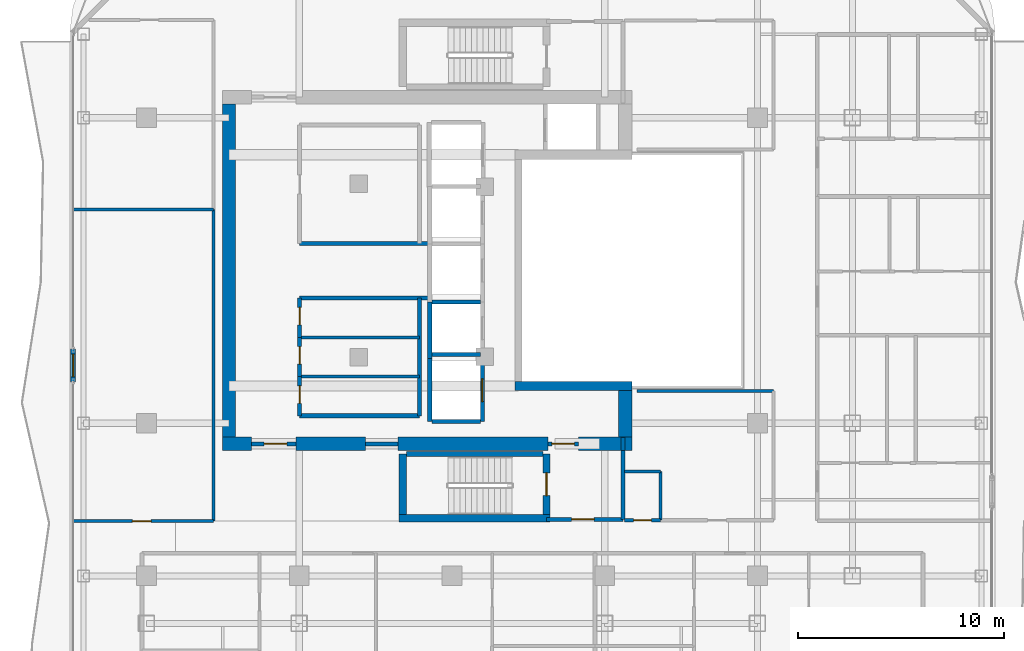
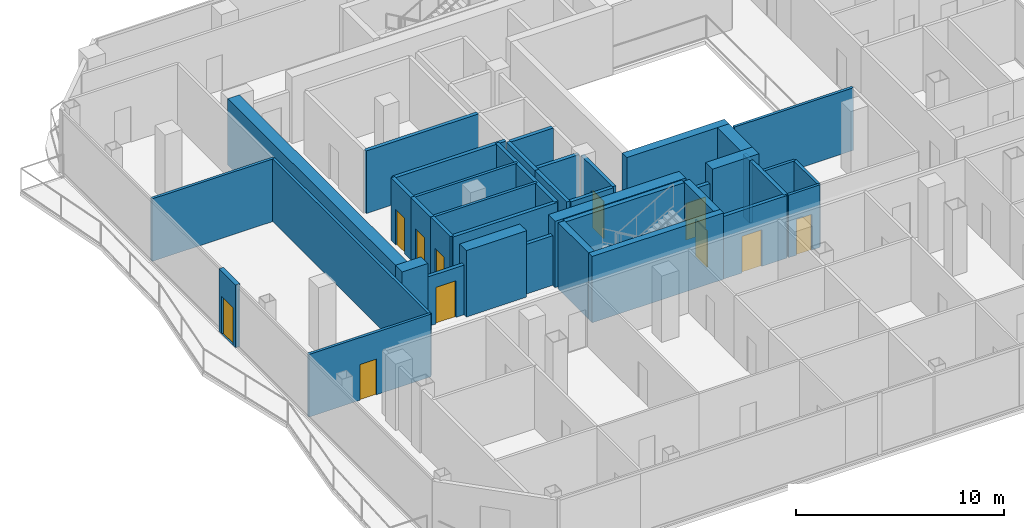
# One storey, part 21 of 27: 40 walls, 11 doors, 11 openings.
"""IFC4 building model written with IfcOpenShell, lengths in metres."""

from ifc_helpers import new_model, si_unit, direction, frame, frame_2d, origin, place, context, subcontext, project, spatial, rectangle, extrude, material, layer, layer_set, type_object, element, fill, save


model = new_model("IFC4")

# Units and contexts
model_context = context("Model", 3, precision=1e-05, world=origin(), true_north=direction((0.0, 1.0)))
body_context = subcontext(model_context, "Body", "Model", "MODEL_VIEW")
ifc_project = project(units=[si_unit("LENGTHUNIT", "METRE"), si_unit("AREAUNIT", "SQUARE_METRE"), si_unit("VOLUMEUNIT", "CUBIC_METRE"), si_unit("PLANEANGLEUNIT", "RADIAN"), si_unit("MASSUNIT", "GRAM", prefix="KILO")], contexts=[model_context])

# Site, building, storey
site_placement = place(None, origin())
site = spatial("IfcSite", under=ifc_project, at=site_placement, CompositionType="ELEMENT")
building_placement = place(site_placement, origin())
building = spatial("IfcBuilding", under=site, at=building_placement, Name="Khorvyn Point Tower", CompositionType="ELEMENT")
storey_placement = place(building_placement, frame((0.0, 0.0, 243.0)))
storey = spatial("IfcBuildingStorey", under=building, at=storey_placement, Name="L59", CompositionType="ELEMENT", Elevation=243.0)

# Wall, opening, door
ifc_material_1 = material(Name="Pale anodised aluminium rainscreen on steel stud", Category="steel")
ifc_layer_1 = layer(ifc_material_1, 0.239990234375)
ifc_layer_set_1 = layer_set([ifc_layer_1], Name="Anodised Aluminium Insulated Corner Spandrel Wall 240")
wall_type_1 = type_object("IfcWallType", Name="Anodised Aluminium Insulated Corner Spandrel Wall 240", PredefinedType="SOLIDWALL", material=ifc_layer_set_1)
wall_1_placement = place(storey_placement, frame((-18.35009765625, -5.39501953125, 0.0), z_axis=(0.0, 0.0, 1.0), x_axis=(0.0, 1.0, 0.0)))
wall_1 = element("IfcWall", 1, at=wall_1_placement, inside=storey, type_object=wall_type_1, Name="L59 West Outdoor Threshold Wall", PredefinedType="SOLIDWALL", context=body_context, shape_type="SweptSolid", body=[
    extrude(rectangle(XDim=1.580078125, YDim=0.239990234375, at=frame_2d((0.7900390625, 0.0))), origin(), (0.0, 0.0, 1.0), 3.679931640625),
])
opening_1_placement = place(wall_1_placement, frame((0.239990234375, 0.0, 0.0)))
opening_1 = element("IfcOpeningElement", 2, at=opening_1_placement, cuts=wall_1, Name="Opening BD-1122", PredefinedType="OPENING", context=body_context, shape_type="SweptSolid", body=[
    extrude(rectangle(XDim=1.10009765625, YDim=2.199951171875, at=frame_2d((0.550048828125, 1.10009765625))), frame((0.0, 0.1298828125, 0.0), z_axis=(0.0, -1.0, 0.0), x_axis=(1.0, 0.0, 0.0)), (0.0, 0.0, 1.0), 0.260009765625),
])
ifc_material_2 = material(Name="Anodised aluminium 6063-T6 and laminated Low-E glass", Category="aluminium")
door_type_1 = type_object("IfcDoorType", Name="Glazed Balcony and Terrace Threshold Door 1100x2200", OperationType="NOTDEFINED", PredefinedType="DOOR", material=ifc_material_2)
door_1_placement = place(opening_1_placement, origin())
door_1 = element("IfcDoor", 3, at=door_1_placement, inside=storey, type_object=door_type_1, Name="L59 West Glazed Balcony Outdoor Door", OperationType="SINGLE_SWING_RIGHT", OverallHeight=2.199951171875, OverallWidth=1.10009765625, PredefinedType="DOOR", context=body_context, shape_type="SweptSolid", body=[
    extrude(rectangle(XDim=1.10009765625, YDim=2.199951171875, at=frame_2d((0.550048828125, 1.10009765625))), frame((0.0, 0.02490234375, 0.0), z_axis=(0.0, -1.0, 0.0), x_axis=(1.0, 0.0, 0.0)), (0.0, 0.0, 1.0), 0.050048828125),
])
fill(opening_1, door_1)

# Walls
ifc_material_3 = material(Name="Concrete C40/50", Category="concrete")
ifc_layer_2 = layer(ifc_material_3, 0.449951171875)
ifc_layer_set_2 = layer_set([ifc_layer_2], Name="Concrete C40/50 Core Shear Wall 450")
wall_type_2 = type_object("IfcWallType", Name="Concrete C40/50 Core Shear Wall 450", PredefinedType="SHEAR", material=ifc_layer_set_2)
wall_2_placement = place(storey_placement, frame((3.044921875, -5.60009765625, 0.0), z_axis=(0.0, 0.0, 1.0), x_axis=(1.0, 0.0, 0.0)))
element("IfcWall", 4, at=wall_2_placement, inside=storey, type_object=wall_type_2, Name="Wall", PredefinedType="SHEAR", context=body_context, shape_type="SweptSolid", body=[
    extrude(rectangle(XDim=5.68017578125, YDim=0.449951171875, at=frame_2d((2.840087890625, 0.0))), origin(), (0.0, 0.0, 1.0), 3.89990234375),
])
ifc_layer_3 = layer(ifc_material_3, 0.64990234375)
ifc_layer_set_3 = layer_set([ifc_layer_3], Name="Concrete C40/50 Core Shear Wall 650")
wall_type_3 = type_object("IfcWallType", Name="Concrete C40/50 Core Shear Wall 650", PredefinedType="SHEAR", material=ifc_layer_set_3)
wall_3_placement = place(storey_placement, frame((-11.125, -8.39990234375, 0.0), z_axis=(0.0, 0.0, 1.0), x_axis=(1.0, 0.0, 0.0)))
element("IfcWall", 5, at=wall_3_placement, inside=storey, type_object=wall_type_3, Name="Wall", PredefinedType="SHEAR", context=body_context, shape_type="SweptSolid", body=[
    extrude(rectangle(XDim=1.425048828125, YDim=0.64990234375, at=frame_2d((0.71240234375, 0.0))), origin(), (0.0, 0.0, 1.0), 3.89990234375),
])
wall_4_placement = place(storey_placement, frame((-7.550048828125, -8.39990234375, 0.0), z_axis=(0.0, 0.0, 1.0), x_axis=(1.0, 0.0, 0.0)))
element("IfcWall", 6, at=wall_4_placement, inside=storey, type_object=wall_type_3, Name="Wall", PredefinedType="SHEAR", context=body_context, shape_type="SweptSolid", body=[
    extrude(rectangle(XDim=3.35009765625, YDim=0.64990234375, at=frame_2d((1.675048828125, 0.0))), origin(), (0.0, 0.0, 1.0), 3.89990234375),
])
wall_5_placement = place(storey_placement, frame((-2.6201171875, -8.39990234375, 0.0), z_axis=(0.0, 0.0, 1.0), x_axis=(1.0, 0.0, 0.0)))
element("IfcWall", 7, at=wall_5_placement, inside=storey, type_object=wall_type_3, Name="Wall", PredefinedType="SHEAR", context=body_context, shape_type="SweptSolid", body=[
    extrude(rectangle(XDim=7.27001953125, YDim=0.64990234375, at=frame_2d((3.635009765625, 0.0))), origin(), (0.0, 0.0, 1.0), 3.89990234375),
])
wall_6_placement = place(storey_placement, frame((6.1201171875, -8.39990234375, 0.0), z_axis=(0.0, 0.0, 1.0), x_axis=(1.0, 0.0, 0.0)))
element("IfcWall", 8, at=wall_6_placement, inside=storey, type_object=wall_type_3, Name="Wall", PredefinedType="SHEAR", context=body_context, shape_type="SweptSolid", body=[
    extrude(rectangle(XDim=2.60498046875, YDim=0.64990234375, at=frame_2d((1.302490234375, 0.0))), origin(), (0.0, 0.0, 1.0), 3.89990234375),
])
wall_7_placement = place(storey_placement, frame((-10.800048828125, -8.074951171875, 0.0), z_axis=(0.0, 0.0, 1.0), x_axis=(0.0, 1.0, 0.0)))
element("IfcWall", 9, at=wall_7_placement, inside=storey, type_object=wall_type_3, Name="Wall", PredefinedType="SHEAR", context=body_context, shape_type="SweptSolid", body=[
    extrude(rectangle(XDim=16.14990234375, YDim=0.64990234375, at=frame_2d((8.074951171875, 0.0))), origin(), (0.0, 0.0, 1.0), 3.89990234375),
])
wall_8_placement = place(storey_placement, frame((8.39990234375, -8.074951171875, 0.0), z_axis=(0.0, 0.0, 1.0), x_axis=(0.0, 1.0, 0.0)))
element("IfcWall", 10, at=wall_8_placement, inside=storey, type_object=wall_type_3, Name="Wall", PredefinedType="SHEAR", context=body_context, shape_type="SweptSolid", body=[
    extrude(rectangle(XDim=2.25, YDim=0.64990234375, at=frame_2d((1.125, 0.0))), origin(), (0.0, 0.0, 1.0), 3.89990234375),
])

# Wall, opening, door
ifc_layer_4 = layer(ifc_material_3, 0.199951171875)
ifc_layer_set_4 = layer_set([ifc_layer_4], Name="Concrete C40/50 Fire-Lobby Compartment Wall 200")
wall_type_4 = type_object("IfcWallType", Name="Concrete C40/50 Fire-Lobby Compartment Wall 200", PredefinedType="SOLIDWALL", material=ifc_layer_set_4)
wall_9_placement = place(storey_placement, frame((4.580078125, -12.06005859375, 0.0), z_axis=(0.0, 0.0, 1.0), x_axis=(1.0, 0.0, 0.0)))
wall_9 = element("IfcWall", 11, at=wall_9_placement, inside=storey, type_object=wall_type_4, Name="Wall", PredefinedType="SOLIDWALL", context=body_context, shape_type="SweptSolid", body=[
    extrude(rectangle(XDim=3.699951171875, YDim=0.199951171875, at=frame_2d((1.85009765625, 0.0))), origin(), (0.0, 0.0, 1.0), 3.679931640625),
])
opening_2_placement = place(wall_9_placement, frame((1.21240234375, 0.0, 0.0)))
opening_2 = element("IfcOpeningElement", 12, at=opening_2_placement, cuts=wall_9, Name="Opening ID-FL90", PredefinedType="OPENING", context=body_context, shape_type="SweptSolid", body=[
    extrude(rectangle(XDim=1.10009765625, YDim=2.14990234375, at=frame_2d((0.550048828125, 1.074951171875))), frame((0.0, 0.10986328125, 0.0), z_axis=(0.0, -1.0, 0.0), x_axis=(1.0, 0.0, 0.0)), (0.0, 0.0, 1.0), 0.219970703125),
])
ifc_material_4 = material(Name="Galvanised powder-coated steel", Category="steel")
door_type_2 = type_object("IfcDoorType", Name="Fire-Rated Steel Lobby and Stair Door 1100x2150", OperationType="NOTDEFINED", PredefinedType="DOOR", material=ifc_material_4)
door_2_placement = place(opening_2_placement, origin())
door_2 = element("IfcDoor", 13, at=door_2_placement, inside=storey, type_object=door_type_2, Name="Door", OperationType="SINGLE_SWING_RIGHT", OverallHeight=2.14990234375, OverallWidth=1.10009765625, PredefinedType="DOOR", context=body_context, shape_type="SweptSolid", body=[
    extrude(rectangle(XDim=1.10009765625, YDim=2.14990234375, at=frame_2d((0.550048828125, 1.074951171875))), frame((0.0, 0.02490234375, 0.0), z_axis=(0.0, -1.0, 0.0), x_axis=(1.0, 0.0, 0.0)), (0.0, 0.0, 1.0), 0.050048828125),
])
fill(opening_2, door_2)

wall_10_placement = place(storey_placement, frame((4.64990234375, -8.39990234375, 0.0), z_axis=(0.0, 0.0, 1.0), x_axis=(1.0, 0.0, 0.0)))
wall_10 = element("IfcWall", 14, at=wall_10_placement, inside=storey, type_object=wall_type_4, Name="Wall", PredefinedType="SOLIDWALL", context=body_context, shape_type="SweptSolid", body=[
    extrude(rectangle(XDim=1.47021484375, YDim=0.199951171875, at=frame_2d((0.735107421875, 0.0))), origin(), (0.0, 0.0, 1.0), 2.919921875),
])
opening_3_placement = place(wall_10_placement, frame((0.18505859375, 0.0, 0.0)))
opening_3 = element("IfcOpeningElement", 15, at=opening_3_placement, cuts=wall_10, Name="Opening ID-FL90", PredefinedType="OPENING", context=body_context, shape_type="SweptSolid", body=[
    extrude(rectangle(XDim=1.10009765625, YDim=2.14990234375, at=frame_2d((0.550048828125, 1.074951171875))), frame((0.0, 0.10986328125, 0.0), z_axis=(0.0, -1.0, 0.0), x_axis=(1.0, 0.0, 0.0)), (0.0, 0.0, 1.0), 0.219970703125),
])
door_3_placement = place(opening_3_placement, origin())
door_3 = element("IfcDoor", 16, at=door_3_placement, inside=storey, type_object=door_type_2, Name="Door", OperationType="SINGLE_SWING_LEFT", OverallHeight=2.14990234375, OverallWidth=1.10009765625, PredefinedType="DOOR", context=body_context, shape_type="SweptSolid", body=[
    extrude(rectangle(XDim=1.10009765625, YDim=2.14990234375, at=frame_2d((0.550048828125, 1.074951171875))), frame((0.0, 0.02490234375, 0.0), z_axis=(0.0, -1.0, 0.0), x_axis=(1.0, 0.0, 0.0)), (0.0, 0.0, 1.0), 0.050048828125),
])
fill(opening_3, door_3)

wall_11_placement = place(storey_placement, frame((-9.699951171875, -8.39990234375, 0.0), z_axis=(0.0, 0.0, 1.0), x_axis=(1.0, 0.0, 0.0)))
wall_11 = element("IfcWall", 17, at=wall_11_placement, inside=storey, type_object=wall_type_4, Name="Wall", PredefinedType="SOLIDWALL", context=body_context, shape_type="SweptSolid", body=[
    extrude(rectangle(XDim=2.14990234375, YDim=0.199951171875, at=frame_2d((1.074951171875, 0.0))), origin(), (0.0, 0.0, 1.0), 2.919921875),
])
opening_4_placement = place(wall_11_placement, frame((0.597900390625, 0.0, 0.0)))
opening_4 = element("IfcOpeningElement", 18, at=opening_4_placement, cuts=wall_11, Name="Opening ID-FL90", PredefinedType="OPENING", context=body_context, shape_type="SweptSolid", body=[
    extrude(rectangle(XDim=1.10009765625, YDim=2.14990234375, at=frame_2d((0.550048828125, 1.074951171875))), frame((0.0, 0.10986328125, 0.0), z_axis=(0.0, -1.0, 0.0), x_axis=(1.0, 0.0, 0.0)), (0.0, 0.0, 1.0), 0.219970703125),
])
door_4_placement = place(opening_4_placement, origin())
door_4 = element("IfcDoor", 19, at=door_4_placement, inside=storey, type_object=door_type_2, Name="Door", OperationType="SINGLE_SWING_LEFT", OverallHeight=2.14990234375, OverallWidth=1.10009765625, PredefinedType="DOOR", context=body_context, shape_type="SweptSolid", body=[
    extrude(rectangle(XDim=1.10009765625, YDim=2.14990234375, at=frame_2d((0.550048828125, 1.074951171875))), frame((0.0, 0.02490234375, 0.0), z_axis=(0.0, -1.0, 0.0), x_axis=(1.0, 0.0, 0.0)), (0.0, 0.0, 1.0), 0.050048828125),
])
fill(opening_4, door_4)

wall_12_placement = place(storey_placement, frame((-7.3798828125, -7.0400390625, 0.0), z_axis=(0.0, 0.0, 1.0), x_axis=(0.0, 1.0, 0.0)))
wall_12 = element("IfcWall", 20, at=wall_12_placement, inside=storey, type_object=wall_type_4, Name="Wall", PredefinedType="SOLIDWALL", context=body_context, shape_type="SweptSolid", body=[
    extrude(rectangle(XDim=1.900146484375, YDim=0.199951171875, at=frame_2d((0.9501953125, 0.0))), origin(), (0.0, 0.0, 1.0), 3.679931640625),
])
opening_5_placement = place(wall_12_placement, frame((0.597900390625, 0.0, 0.0)))
opening_5 = element("IfcOpeningElement", 21, at=opening_5_placement, cuts=wall_12, Name="Opening ID-WC85", PredefinedType="OPENING", context=body_context, shape_type="SweptSolid", body=[
    extrude(rectangle(XDim=0.85009765625, YDim=2.10009765625, at=frame_2d((0.425048828125, 1.050048828125))), frame((0.0, 0.10986328125, 0.0), z_axis=(0.0, -1.0, 0.0), x_axis=(1.0, 0.0, 0.0)), (0.0, 0.0, 1.0), 0.219970703125),
])
ifc_material_5 = material(Name="High-pressure laminate on moisture-resistant core", Category="wood")
door_type_3 = type_object("IfcDoorType", Name="Moisture-Resistant Accessible Washroom Door 850x2100", OperationType="NOTDEFINED", PredefinedType="DOOR", material=ifc_material_5)
door_5_placement = place(opening_5_placement, origin())
door_5 = element("IfcDoor", 22, at=door_5_placement, inside=storey, type_object=door_type_3, Name="Door", OperationType="SINGLE_SWING_LEFT", OverallHeight=2.10009765625, OverallWidth=0.85009765625, PredefinedType="DOOR", context=body_context, shape_type="SweptSolid", body=[
    extrude(rectangle(XDim=0.85009765625, YDim=2.10009765625, at=frame_2d((0.425048828125, 1.050048828125))), frame((0.0, 0.02490234375, 0.0), z_axis=(0.0, -1.0, 0.0), x_axis=(1.0, 0.0, 0.0)), (0.0, 0.0, 1.0), 0.050048828125),
])
fill(opening_5, door_5)

wall_13_placement = place(storey_placement, frame((-7.3798828125, -5.139892578125, 0.0), z_axis=(0.0, 0.0, 1.0), x_axis=(0.0, 1.0, 0.0)))
wall_13 = element("IfcWall", 23, at=wall_13_placement, inside=storey, type_object=wall_type_4, Name="Wall", PredefinedType="SOLIDWALL", context=body_context, shape_type="SweptSolid", body=[
    extrude(rectangle(XDim=1.89990234375, YDim=0.199951171875, at=frame_2d((0.949951171875, 0.0))), origin(), (0.0, 0.0, 1.0), 3.679931640625),
])
opening_6_placement = place(wall_13_placement, frame((0.597900390625, 0.0, 0.0)))
opening_6 = element("IfcOpeningElement", 24, at=opening_6_placement, cuts=wall_13, Name="Opening ID-WC85", PredefinedType="OPENING", context=body_context, shape_type="SweptSolid", body=[
    extrude(rectangle(XDim=0.85009765625, YDim=2.10009765625, at=frame_2d((0.425048828125, 1.050048828125))), frame((0.0, 0.10986328125, 0.0), z_axis=(0.0, -1.0, 0.0), x_axis=(1.0, 0.0, 0.0)), (0.0, 0.0, 1.0), 0.219970703125),
])
door_6_placement = place(opening_6_placement, origin())
door_6 = element("IfcDoor", 25, at=door_6_placement, inside=storey, type_object=door_type_3, Name="Door", OperationType="SINGLE_SWING_RIGHT", OverallHeight=2.10009765625, OverallWidth=0.85009765625, PredefinedType="DOOR", context=body_context, shape_type="SweptSolid", body=[
    extrude(rectangle(XDim=0.85009765625, YDim=2.10009765625, at=frame_2d((0.425048828125, 1.050048828125))), frame((0.0, 0.02490234375, 0.0), z_axis=(0.0, -1.0, 0.0), x_axis=(1.0, 0.0, 0.0)), (0.0, 0.0, 1.0), 0.050048828125),
])
fill(opening_6, door_6)

wall_14_placement = place(storey_placement, frame((-7.3798828125, -3.239990234375, 0.0), z_axis=(0.0, 0.0, 1.0), x_axis=(0.0, 1.0, 0.0)))
wall_14 = element("IfcWall", 26, at=wall_14_placement, inside=storey, type_object=wall_type_4, Name="Wall", PredefinedType="SOLIDWALL", context=body_context, shape_type="SweptSolid", body=[
    extrude(rectangle(XDim=1.89990234375, YDim=0.199951171875, at=frame_2d((0.949951171875, 0.0))), origin(), (0.0, 0.0, 1.0), 3.679931640625),
])
opening_7_placement = place(wall_14_placement, frame((0.597900390625, 0.0, 0.0)))
opening_7 = element("IfcOpeningElement", 27, at=opening_7_placement, cuts=wall_14, Name="Opening ID-WC85", PredefinedType="OPENING", context=body_context, shape_type="SweptSolid", body=[
    extrude(rectangle(XDim=0.85009765625, YDim=2.10009765625, at=frame_2d((0.425048828125, 1.050048828125))), frame((0.0, 0.10986328125, 0.0), z_axis=(0.0, -1.0, 0.0), x_axis=(1.0, 0.0, 0.0)), (0.0, 0.0, 1.0), 0.219970703125),
])
door_7_placement = place(opening_7_placement, origin())
door_7 = element("IfcDoor", 28, at=door_7_placement, inside=storey, type_object=door_type_3, Name="Door", OperationType="SINGLE_SWING_LEFT", OverallHeight=2.10009765625, OverallWidth=0.85009765625, PredefinedType="DOOR", context=body_context, shape_type="SweptSolid", body=[
    extrude(rectangle(XDim=0.85009765625, YDim=2.10009765625, at=frame_2d((0.425048828125, 1.050048828125))), frame((0.0, 0.02490234375, 0.0), z_axis=(0.0, -1.0, 0.0), x_axis=(1.0, 0.0, 0.0)), (0.0, 0.0, 1.0), 0.050048828125),
])
fill(opening_7, door_7)

# Walls
wall_15_placement = place(storey_placement, frame((8.280029296875, -12.06005859375, 0.0), z_axis=(0.0, 0.0, 1.0), x_axis=(0.0, 1.0, 0.0)))
element("IfcWall", 29, at=wall_15_placement, inside=storey, type_object=wall_type_4, Name="Wall", PredefinedType="SOLIDWALL", context=body_context, shape_type="SweptSolid", body=[
    extrude(rectangle(XDim=3.3349609375, YDim=0.199951171875, at=frame_2d((1.66748046875, 0.0))), origin(), (0.0, 0.0, 1.0), 3.679931640625),
])
wall_16_placement = place(storey_placement, frame((-4.199951171875, -8.39990234375, 0.0), z_axis=(0.0, 0.0, 1.0), x_axis=(1.0, 0.0, 0.0)))
element("IfcWall", 30, at=wall_16_placement, inside=storey, type_object=wall_type_4, Name="Wall", PredefinedType="SOLIDWALL", context=body_context, shape_type="SweptSolid", body=[
    extrude(rectangle(XDim=1.579833984375, YDim=0.199951171875, at=frame_2d((0.7900390625, 0.0))), origin(), (0.0, 0.0, 1.0), 2.919921875),
])
for number, where, z_axis, x_axis, name in (
    (31, (-7.3798828125, -1.340087890625, 0.0), (0.0, 0.0, 1.0), (1.0, 0.0, 0.0), "Wall"),
    (32, (-7.3798828125, 1.300048828125, 0.0), (0.0, 0.0, 1.0), (1.0, 0.0, 0.0), "Wall"),
):
    element("IfcWall", number, at=place(storey_placement, frame(where, z_axis=z_axis, x_axis=x_axis)), inside=storey, type_object=wall_type_4, Name=name, PredefinedType="SOLIDWALL", context=body_context, shape_type="SweptSolid", body=[
        extrude(rectangle(XDim=6.239990234375, YDim=0.199951171875, at=frame_2d((3.1201171875, 0.0))), origin(), (0.0, 0.0, 1.0), 3.679931640625),
    ])
wall_17_placement = place(storey_placement, frame((-1.580078125, -7.0400390625, 0.0), z_axis=(0.0, 0.0, 1.0), x_axis=(0.0, 1.0, 0.0)))
element("IfcWall", 33, at=wall_17_placement, inside=storey, type_object=wall_type_4, Name="Wall", PredefinedType="SOLIDWALL", context=body_context, shape_type="SweptSolid", body=[
    extrude(rectangle(XDim=5.699951171875, YDim=0.199951171875, at=frame_2d((2.85009765625, 0.0))), origin(), (0.0, 0.0, 1.0), 3.679931640625),
])
wall_18_placement = place(storey_placement, frame((-7.3798828125, -7.0400390625, 0.0), z_axis=(0.0, 0.0, 1.0), x_axis=(1.0, 0.0, 0.0)))
element("IfcWall", 34, at=wall_18_placement, inside=storey, type_object=wall_type_4, Name="Wall", PredefinedType="SOLIDWALL", context=body_context, shape_type="SweptSolid", body=[
    extrude(rectangle(XDim=5.7998046875, YDim=0.199951171875, at=frame_2d((2.89990234375, 0.0))), origin(), (0.0, 0.0, 1.0), 3.679931640625),
])
wall_19_placement = place(storey_placement, frame((8.280029296875, -8.72509765625, 0.0), z_axis=(0.0, 0.0, 1.0), x_axis=(0.0, 1.0, 0.0)))
element("IfcWall", 35, at=wall_19_placement, inside=storey, type_object=wall_type_4, Name="Wall", PredefinedType="SOLIDWALL", context=body_context, shape_type="SweptSolid", body=[
    extrude(rectangle(XDim=0.625, YDim=0.199951171875, at=frame_2d((0.3125, 0.0))), origin(), (0.0, 0.0, 1.0), 3.679931640625),
])
ifc_layer_5 = layer(ifc_material_3, 0.25)
ifc_layer_set_5 = layer_set([ifc_layer_5], Name="Concrete C40/50 Stair Inner Cheek Structural Wall 250")
wall_type_5 = type_object("IfcWallType", Name="Concrete C40/50 Stair Inner Cheek Structural Wall 250", PredefinedType="SHEAR", material=ifc_layer_set_5)
wall_20_placement = place(storey_placement, frame((-2.199951171875, -8.89990234375, 0.0), z_axis=(0.0, 0.0, 1.0), x_axis=(1.0, 0.0, 0.0)))
element("IfcWall", 36, at=wall_20_placement, inside=storey, type_object=wall_type_5, Name="Wall", PredefinedType="SHEAR", context=body_context, shape_type="SweptSolid", body=[
    extrude(rectangle(XDim=6.599853515625, YDim=0.25, at=frame_2d((3.2998046875, 0.0))), origin(), (0.0, 0.0, 1.0), 3.89990234375),
])
ifc_layer_6 = layer(ifc_material_3, 0.35009765625)
ifc_layer_set_6 = layer_set([ifc_layer_6], Name="Concrete C40/50 Stair Shaft Structural Wall 350")
wall_type_6 = type_object("IfcWallType", Name="Concrete C40/50 Stair Shaft Structural Wall 350", PredefinedType="SHEAR", material=ifc_layer_set_6)
wall_21_placement = place(storey_placement, frame((-2.554931640625, -12.0, 0.0), z_axis=(0.0, 0.0, 1.0), x_axis=(1.0, 0.0, 0.0)))
element("IfcWall", 37, at=wall_21_placement, inside=storey, type_object=wall_type_6, Name="L59 ST-01 South Shaft Wall", PredefinedType="SHEAR", context=body_context, shape_type="SweptSolid", body=[
    extrude(rectangle(XDim=7.309814453125, YDim=0.35009765625, at=frame_2d((3.65478515625, 0.0))), origin(), (0.0, 0.0, 1.0), 3.89990234375),
])
wall_22_placement = place(storey_placement, frame((-2.3798828125, -11.824951171875, 0.0), z_axis=(0.0, 0.0, 1.0), x_axis=(0.0, 1.0, 0.0)))
element("IfcWall", 38, at=wall_22_placement, inside=storey, type_object=wall_type_6, Name="L59 ST-01 West Shaft Wall", PredefinedType="SHEAR", context=body_context, shape_type="SweptSolid", body=[
    extrude(rectangle(XDim=2.925048828125, YDim=0.35009765625, at=frame_2d((1.46240234375, 0.0))), origin(), (0.0, 0.0, 1.0), 3.89990234375),
])

# Wall, opening, door
wall_23_placement = place(storey_placement, frame((4.580078125, -8.89990234375, 0.0), z_axis=(0.0, 0.0, 1.0), x_axis=(0.0, -1.0, 0.0)))
wall_23 = element("IfcWall", 39, at=wall_23_placement, inside=storey, type_object=wall_type_6, Name="L59 ST-01 East Landing Door Wall", PredefinedType="SHEAR", context=body_context, shape_type="SweptSolid", body=[
    extrude(rectangle(XDim=2.925048828125, YDim=0.35009765625, at=frame_2d((1.46240234375, 0.0))), origin(), (0.0, 0.0, 1.0), 3.89990234375),
])
opening_8_placement = place(wall_23_placement, frame((0.91259765625, 0.0, 0.0)))
opening_8 = element("IfcOpeningElement", 40, at=opening_8_placement, cuts=wall_23, Name="Opening ID-FL90", PredefinedType="OPENING", context=body_context, shape_type="SweptSolid", body=[
    extrude(rectangle(XDim=1.10009765625, YDim=2.14990234375, at=frame_2d((0.550048828125, 1.074951171875))), frame((0.0, 0.18505859375, 0.0), z_axis=(0.0, -1.0, 0.0), x_axis=(1.0, 0.0, 0.0)), (0.0, 0.0, 1.0), 0.3701171875),
])
door_8_placement = place(opening_8_placement, origin())
door_8 = element("IfcDoor", 41, at=door_8_placement, inside=storey, type_object=door_type_2, Name="L59 ST-01 Smokeproof Landing Door", OperationType="SINGLE_SWING_LEFT", OverallHeight=2.14990234375, OverallWidth=1.10009765625, PredefinedType="DOOR", context=body_context, shape_type="SweptSolid", body=[
    extrude(rectangle(XDim=1.10009765625, YDim=2.14990234375, at=frame_2d((0.550048828125, 1.074951171875))), frame((0.0, 0.02490234375, 0.0), z_axis=(0.0, -1.0, 0.0), x_axis=(1.0, 0.0, 0.0)), (0.0, 0.0, 1.0), 0.050048828125),
])
fill(opening_8, door_8)

# Walls
ifc_layer_7 = layer(ifc_material_3, 0.199951171875)
ifc_layer_set_7 = layer_set([ifc_layer_7], Name="Concrete C40/50 Structural Hoistway and Stair Shaft Wall 200")
wall_type_7 = type_object("IfcWallType", Name="Concrete C40/50 Structural Hoistway and Stair Shaft Wall 200", PredefinedType="SHEAR", material=ifc_layer_set_7)
wall_24_placement = place(storey_placement, frame((-1.074951171875, -4.27490234375, 0.0), z_axis=(0.0, 0.0, 1.0), x_axis=(0.0, 1.0, 0.0)))
element("IfcWall", 42, at=wall_24_placement, inside=storey, type_object=wall_type_7, Name="Wall", PredefinedType="SHEAR", context=body_context, shape_type="SweptSolid", body=[
    extrude(rectangle(XDim=2.75, YDim=0.199951171875, at=frame_2d((1.375, 0.0))), origin(), (0.0, 0.0, 1.0), 3.679931640625),
])
for number, where, z_axis, x_axis, name in (
    (43, (-0.97509765625, -4.074951171875, 0.0), (0.0, 0.0, 1.0), (1.0, 0.0, 0.0), "Wall"),
    (44, (-0.97509765625, -1.52490234375, 0.0), (0.0, 0.0, 1.0), (1.0, 0.0, 0.0), "Wall"),
):
    element("IfcWall", number, at=place(storey_placement, frame(where, z_axis=z_axis, x_axis=x_axis)), inside=storey, type_object=wall_type_7, Name=name, PredefinedType="SHEAR", context=body_context, shape_type="SweptSolid", body=[
        extrude(rectangle(XDim=2.35009765625, YDim=0.199951171875, at=frame_2d((1.175048828125, 0.0))), origin(), (0.0, 0.0, 1.0), 3.679931640625),
    ])
wall_25_placement = place(storey_placement, frame((-1.074951171875, -7.324951171875, 0.0), z_axis=(0.0, 0.0, 1.0), x_axis=(0.0, 1.0, 0.0)))
element("IfcWall", 45, at=wall_25_placement, inside=storey, type_object=wall_type_7, Name="Wall", PredefinedType="SHEAR", context=body_context, shape_type="SweptSolid", body=[
    extrude(rectangle(XDim=3.050048828125, YDim=0.199951171875, at=frame_2d((1.52490234375, 0.0))), origin(), (0.0, 0.0, 1.0), 3.679931640625),
])

# Wall, opening, door
wall_26_placement = place(storey_placement, frame((1.47509765625, -7.324951171875, 0.0), z_axis=(0.0, 0.0, 1.0), x_axis=(0.0, 1.0, 0.0)))
wall_26 = element("IfcWall", 46, at=wall_26_placement, inside=storey, type_object=wall_type_7, Name="Wall", PredefinedType="SHEAR", context=body_context, shape_type="SweptSolid", body=[
    extrude(rectangle(XDim=3.050048828125, YDim=0.199951171875, at=frame_2d((1.52490234375, 0.0))), origin(), (0.0, 0.0, 1.0), 3.679931640625),
])
opening_9_placement = place(wall_26_placement, frame((0.97509765625, 0.0, 0.0)))
opening_9 = element("IfcOpeningElement", 47, at=opening_9_placement, cuts=wall_26, Name="Opening LD-1122", PredefinedType="OPENING", context=body_context, shape_type="SweptSolid", body=[
    extrude(rectangle(XDim=1.10009765625, YDim=2.199951171875, at=frame_2d((0.550048828125, 1.10009765625))), frame((0.0, 0.10986328125, 0.0), z_axis=(0.0, -1.0, 0.0), x_axis=(1.0, 0.0, 0.0)), (0.0, 0.0, 1.0), 0.219970703125),
])
ifc_material_6 = material(Name="Stainless steel 1.4301", Category="steel")
door_type_4 = type_object("IfcDoorType", Name="Stainless Steel Automatic Sliding Lift Landing Door 1100x2200", OperationType="SLIDING_TO_LEFT", PredefinedType="DOOR", material=ifc_material_6)
door_9_placement = place(opening_9_placement, origin())
door_9 = element("IfcDoor", 48, at=door_9_placement, inside=storey, type_object=door_type_4, Name="L59 FF-01 Sliding Lift Landing Door", OperationType="SLIDING_TO_LEFT", OverallHeight=2.199951171875, OverallWidth=1.10009765625, PredefinedType="DOOR", context=body_context, shape_type="SweptSolid", body=[
    extrude(rectangle(XDim=1.10009765625, YDim=2.199951171875, at=frame_2d((0.550048828125, 1.10009765625))), frame((0.0, 0.02490234375, 0.0), z_axis=(0.0, -1.0, 0.0), x_axis=(1.0, 0.0, 0.0)), (0.0, 0.0, 1.0), 0.050048828125),
])
fill(opening_9, door_9)

# Wall
wall_27_placement = place(storey_placement, frame((-0.97509765625, -7.324951171875, 0.0), z_axis=(0.0, 0.0, 1.0), x_axis=(1.0, 0.0, 0.0)))
element("IfcWall", 49, at=wall_27_placement, inside=storey, type_object=wall_type_7, Name="Wall", PredefinedType="SHEAR", context=body_context, shape_type="SweptSolid", body=[
    extrude(rectangle(XDim=2.35009765625, YDim=0.199951171875, at=frame_2d((1.175048828125, 0.0))), origin(), (0.0, 0.0, 1.0), 3.679931640625),
])

# Wall, opening, door
ifc_material_7 = material(Name="Moisture-resistant gypsum and cement board", Category="gypsum")
ifc_layer_8 = layer(ifc_material_7, 0.14990234375)
ifc_layer_set_8 = layer_set([ifc_layer_8], Name="Moisture-Resistant Wet-Room Partition Wall 150")
wall_type_8 = type_object("IfcWallType", Name="Moisture-Resistant Wet-Room Partition Wall 150", PredefinedType="PARTITIONING", material=ifc_layer_set_8)
wall_28_placement = place(storey_placement, frame((8.360107421875, -12.10009765625, 0.0), z_axis=(0.0, 0.0, 1.0), x_axis=(1.0, 0.0, 0.0)))
wall_28 = element("IfcWall", 50, at=wall_28_placement, inside=storey, type_object=wall_type_8, Name="Wall", PredefinedType="PARTITIONING", context=body_context, shape_type="SweptSolid", body=[
    extrude(rectangle(XDim=1.739990234375, YDim=0.14990234375, at=frame_2d((0.8701171875, 0.0))), origin(), (0.0, 0.0, 1.0), 3.679931640625),
])
opening_10_placement = place(wall_28_placement, frame((0.445068359375, 0.0, 0.0)))
opening_10 = element("IfcOpeningElement", 51, at=opening_10_placement, cuts=wall_28, Name="Opening ID-WC85", PredefinedType="OPENING", context=body_context, shape_type="SweptSolid", body=[
    extrude(rectangle(XDim=0.85009765625, YDim=2.10009765625, at=frame_2d((0.425048828125, 1.050048828125))), frame((0.0, 0.0849609375, 0.0), z_axis=(0.0, -1.0, 0.0), x_axis=(1.0, 0.0, 0.0)), (0.0, 0.0, 1.0), 0.169921875),
])
door_10_placement = place(opening_10_placement, origin())
door_10 = element("IfcDoor", 52, at=door_10_placement, inside=storey, type_object=door_type_3, Name="Door", OperationType="SINGLE_SWING_LEFT", OverallHeight=2.10009765625, OverallWidth=0.85009765625, PredefinedType="DOOR", context=body_context, shape_type="SweptSolid", body=[
    extrude(rectangle(XDim=0.85009765625, YDim=2.10009765625, at=frame_2d((0.425048828125, 1.050048828125))), frame((0.0, 0.02490234375, 0.0), z_axis=(0.0, -1.0, 0.0), x_axis=(1.0, 0.0, 0.0)), (0.0, 0.0, 1.0), 0.050048828125),
])
fill(opening_10, door_10)

wall_29_placement = place(storey_placement, frame((-18.330078125, -12.139892578125, 0.0), z_axis=(0.0, 0.0, 1.0), x_axis=(1.0, 0.0, 0.0)))
wall_29 = element("IfcWall", 53, at=wall_29_placement, inside=storey, type_object=wall_type_8, Name="Wall", PredefinedType="PARTITIONING", context=body_context, shape_type="SweptSolid", body=[
    extrude(rectangle(XDim=6.780029296875, YDim=0.14990234375, at=frame_2d((3.39013671875, 0.0))), origin(), (0.0, 0.0, 1.0), 3.679931640625),
])
opening_11_placement = place(wall_29_placement, frame((2.850341796875, 0.0, 0.0)))
opening_11 = element("IfcOpeningElement", 54, at=opening_11_placement, cuts=wall_29, Name="Opening ID-RM90", PredefinedType="OPENING", context=body_context, shape_type="SweptSolid", body=[
    extrude(rectangle(XDim=0.89990234375, YDim=2.10009765625, at=frame_2d((0.449951171875, 1.050048828125))), frame((0.0, 0.0849609375, 0.0), z_axis=(0.0, -1.0, 0.0), x_axis=(1.0, 0.0, 0.0)), (0.0, 0.0, 1.0), 0.169921875),
])
ifc_material_8 = material(Name="Engineered oak veneer timber", Category="wood")
door_type_5 = type_object("IfcDoorType", Name="Flush Engineered Timber Room Door 900x2100", OperationType="NOTDEFINED", PredefinedType="DOOR", material=ifc_material_8)
door_11_placement = place(opening_11_placement, origin())
door_11 = element("IfcDoor", 55, at=door_11_placement, inside=storey, type_object=door_type_5, Name="Door", OperationType="SINGLE_SWING_LEFT", OverallHeight=2.10009765625, OverallWidth=0.89990234375, PredefinedType="DOOR", context=body_context, shape_type="SweptSolid", body=[
    extrude(rectangle(XDim=0.89990234375, YDim=2.10009765625, at=frame_2d((0.449951171875, 1.050048828125))), frame((0.0, 0.02490234375, 0.0), z_axis=(0.0, -1.0, 0.0), x_axis=(1.0, 0.0, 0.0)), (0.0, 0.0, 1.0), 0.050048828125),
])
fill(opening_11, door_11)

# Walls
for number, where, z_axis, x_axis, name in (
    (56, (-7.3798828125, -5.139892578125, 0.0), (0.0, 0.0, 1.0), (1.0, 0.0, 0.0), "Wall"),
    (57, (-7.3798828125, -3.239990234375, 0.0), (0.0, 0.0, 1.0), (1.0, 0.0, 0.0), "Wall"),
):
    element("IfcWall", number, at=place(storey_placement, frame(where, z_axis=z_axis, x_axis=x_axis)), inside=storey, type_object=wall_type_8, Name=name, PredefinedType="PARTITIONING", context=body_context, shape_type="SweptSolid", body=[
        extrude(rectangle(XDim=5.7998046875, YDim=0.14990234375, at=frame_2d((2.89990234375, 0.0))), origin(), (0.0, 0.0, 1.0), 3.679931640625),
    ])
wall_30_placement = place(storey_placement, frame((8.360107421875, -9.75, 0.0), z_axis=(0.0, 0.0, 1.0), x_axis=(1.0, 0.0, 0.0)))
element("IfcWall", 58, at=wall_30_placement, inside=storey, type_object=wall_type_8, Name="Wall", PredefinedType="PARTITIONING", context=body_context, shape_type="SweptSolid", body=[
    extrude(rectangle(XDim=1.739990234375, YDim=0.14990234375, at=frame_2d((0.8701171875, 0.0))), origin(), (0.0, 0.0, 1.0), 3.679931640625),
])
wall_31_placement = place(storey_placement, frame((10.10009765625, -12.10009765625, 0.0), z_axis=(0.0, 0.0, 1.0), x_axis=(0.0, 1.0, 0.0)))
element("IfcWall", 59, at=wall_31_placement, inside=storey, type_object=wall_type_8, Name="Wall", PredefinedType="PARTITIONING", context=body_context, shape_type="SweptSolid", body=[
    extrude(rectangle(XDim=2.35009765625, YDim=0.14990234375, at=frame_2d((1.175048828125, 0.0))), origin(), (0.0, 0.0, 1.0), 3.679931640625),
])
wall_32_placement = place(storey_placement, frame((8.9599609375, -5.85009765625, 0.0), z_axis=(0.0, 0.0, 1.0), x_axis=(1.0, 0.0, 0.0)))
element("IfcWall", 60, at=wall_32_placement, inside=storey, type_object=wall_type_8, Name="Wall", PredefinedType="PARTITIONING", context=body_context, shape_type="SweptSolid", body=[
    extrude(rectangle(XDim=6.6201171875, YDim=0.14990234375, at=frame_2d((3.31005859375, 0.0))), origin(), (0.0, 0.0, 1.0), 3.679931640625),
])
wall_33_placement = place(storey_placement, frame((-18.330078125, 2.949951171875, 0.0), z_axis=(0.0, 0.0, 1.0), x_axis=(1.0, 0.0, 0.0)))
element("IfcWall", 61, at=wall_33_placement, inside=storey, type_object=wall_type_8, Name="Wall", PredefinedType="PARTITIONING", context=body_context, shape_type="SweptSolid", body=[
    extrude(rectangle(XDim=6.780029296875, YDim=0.14990234375, at=frame_2d((3.39013671875, 0.0))), origin(), (0.0, 0.0, 1.0), 3.679931640625),
])
wall_34_placement = place(storey_placement, frame((-11.550048828125, -12.139892578125, 0.0), z_axis=(0.0, 0.0, 1.0), x_axis=(0.0, 1.0, 0.0)))
element("IfcWall", 62, at=wall_34_placement, inside=storey, type_object=wall_type_8, Name="Wall", PredefinedType="PARTITIONING", context=body_context, shape_type="SweptSolid", body=[
    extrude(rectangle(XDim=15.08984375, YDim=0.14990234375, at=frame_2d((7.544921875, 0.0))), origin(), (0.0, 0.0, 1.0), 3.679931640625),
])

save(model, "model.ifc")
